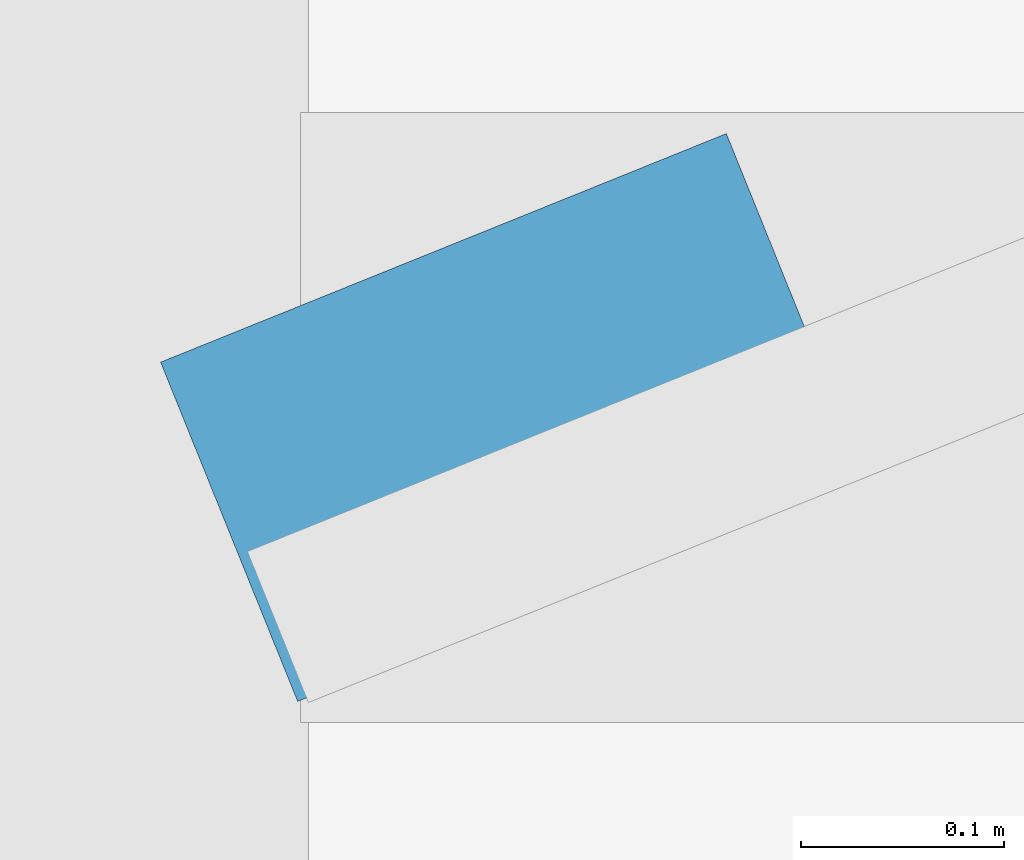
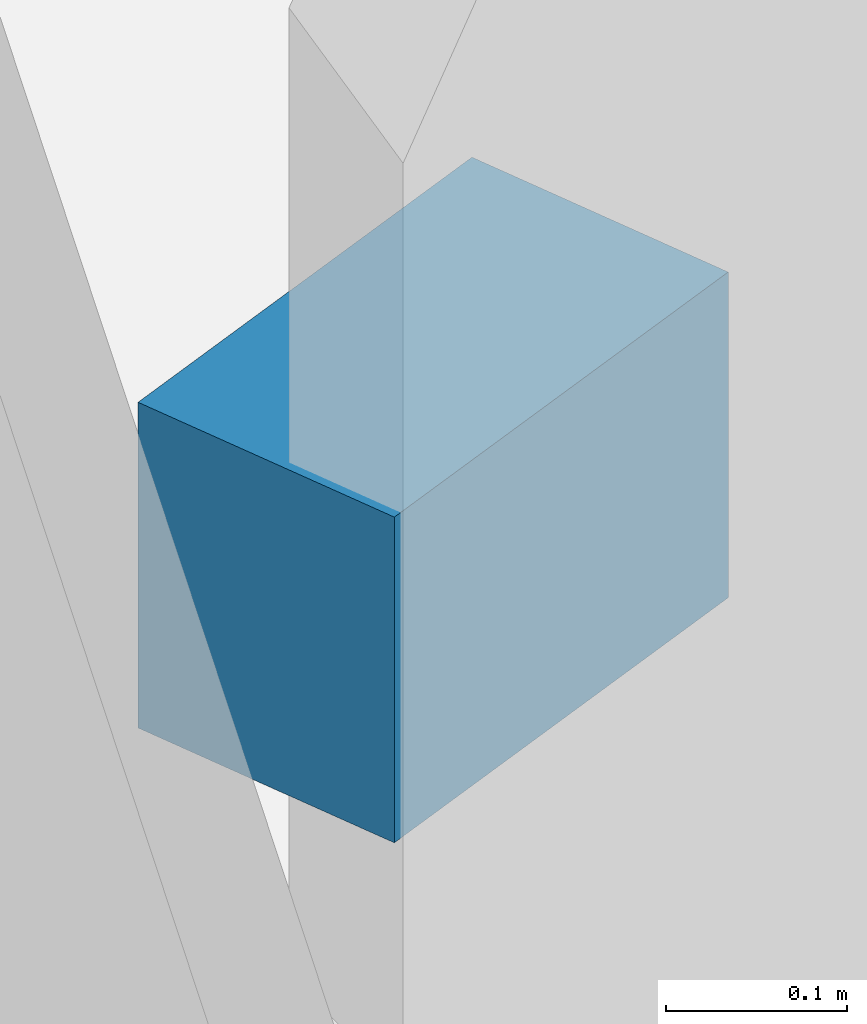
# One storey, part 83 of 93: 1 discrete accessory.
"""IFC4 building model written with IfcOpenShell, lengths in metres."""

from ifc_helpers import new_model, si_unit, direction, frame, origin, origin_2d, place, context, subcontext, project, spatial, rectangle, extrude, material, type_object, element, save


model = new_model("IFC4")

# Units and contexts
model_context = context("Model", 3, precision=1e-05, world=origin(), true_north=direction((0.0, 1.0)))
body_context = subcontext(model_context, "Body", "Model", "MODEL_VIEW")
ifc_project = project(units=[si_unit("LENGTHUNIT", "METRE"), si_unit("AREAUNIT", "SQUARE_METRE"), si_unit("VOLUMEUNIT", "CUBIC_METRE"), si_unit("PLANEANGLEUNIT", "RADIAN"), si_unit("MASSUNIT", "GRAM", prefix="KILO")], contexts=[model_context])

# Site, building, storey
site_placement = place(None, origin())
site = spatial("IfcSite", under=ifc_project, at=site_placement, CompositionType="ELEMENT")
building_placement = place(site_placement, origin())
building = spatial("IfcBuilding", under=site, at=building_placement, Name="Vaudrelin Polytechnic", CompositionType="ELEMENT")
storey_placement = place(building_placement, frame((0.0, 0.0, 5.10009765625)))
storey = spatial("IfcBuildingStorey", under=building, at=storey_placement, Name="L01", CompositionType="ELEMENT", Elevation=5.10009765625)

# Discrete accessory
ifc_material = material(Name="Galvanised steel CSA G40.21 350W", Category="steel")
discrete_accessory_type = type_object("IfcDiscreteAccessoryType", Name="ENV-BRK-01", PredefinedType="BRACKET", material=ifc_material)
discrete_accessory_placement = place(storey_placement, frame((0.300048828125, 117.449951171875, 0.98974609375), z_axis=(0.0, 0.0, 1.0), x_axis=(0.927183854567, 0.374606593416, 0.0)))
element("IfcDiscreteAccessory", 1, at=discrete_accessory_placement, inside=storey, type_object=discrete_accessory_type, Name="Solar fin support bracket BRK-019", PredefinedType="BRACKET", context=body_context, shape_type="SweptSolid", body=[
    extrude(rectangle(XDim=0.300048828125, YDim=0.179931640625, at=origin_2d()), origin(), (0.0, 0.0, 1.0), 0.219970703125),
])

save(model, "model.ifc")
